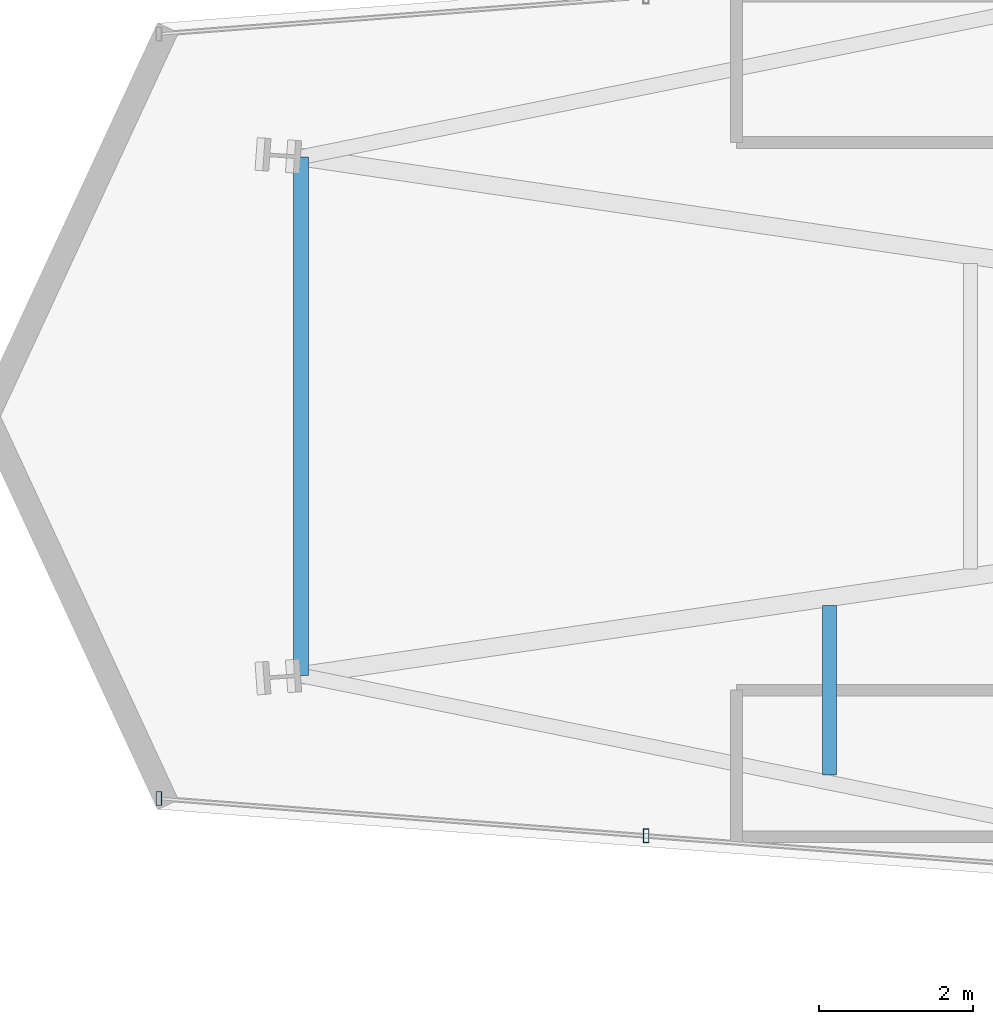
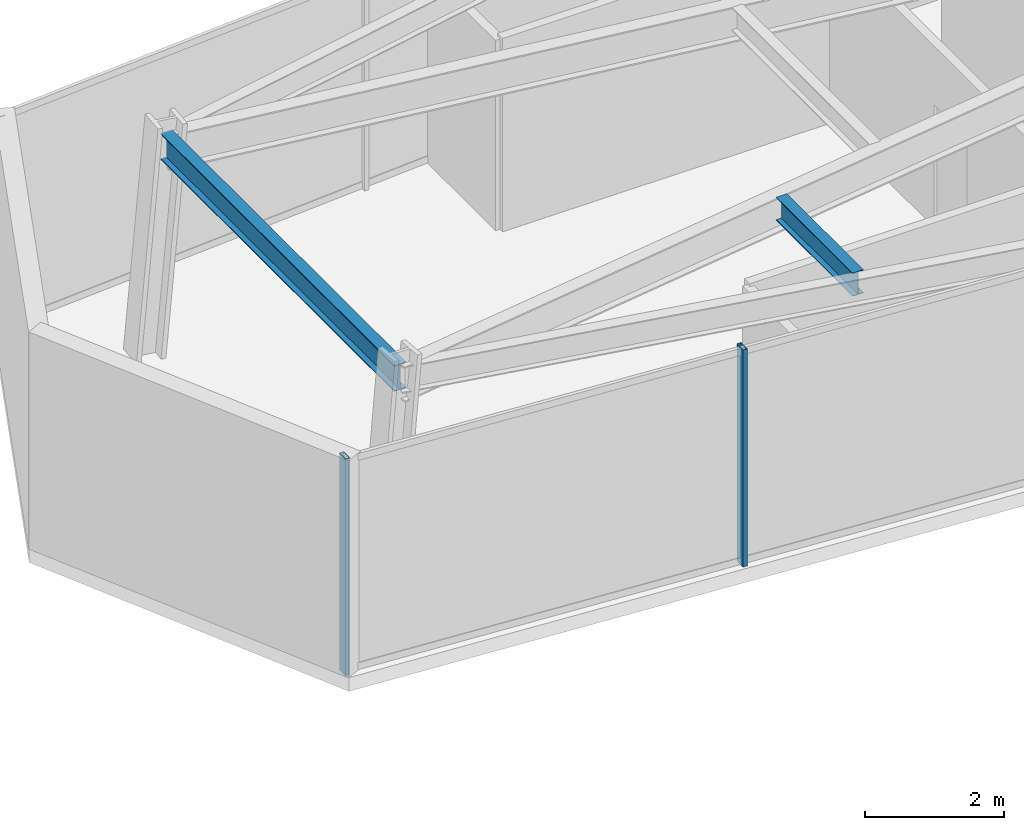
# One storey, part 6 of 28: 2 beams, 2 members, 1 element without a shape of its own.
"""IFC4 building model written with IfcOpenShell, lengths in metres."""

from ifc_helpers import new_model, si_unit, direction, frame, origin, origin_2d, place, context, subcontext, project, spatial, hollow_rectangle, i_section, extrude, material, layer, layer_set, material_profile, profile_set, type_object, element, aggregate, save


model = new_model("IFC4")

# Units and contexts
model_context = context("Model", 3, precision=1e-05, world=origin(), true_north=direction((0.0, 1.0)))
body_context = subcontext(model_context, "Body", "Model", "MODEL_VIEW")
ifc_project = project(units=[si_unit("LENGTHUNIT", "METRE"), si_unit("AREAUNIT", "SQUARE_METRE"), si_unit("VOLUMEUNIT", "CUBIC_METRE"), si_unit("PLANEANGLEUNIT", "RADIAN"), si_unit("MASSUNIT", "GRAM", prefix="KILO")], contexts=[model_context])

# Site, building, storey
site_placement = place(None, origin())
site = spatial("IfcSite", under=ifc_project, at=site_placement, CompositionType="ELEMENT")
building_placement = place(site_placement, origin())
building = spatial("IfcBuilding", under=site, at=building_placement, Name="Veymaron Broadcast Tower", CompositionType="ELEMENT")
storey_placement = place(building_placement, frame((0.0, 0.0, 45.89990234375)))
storey = spatial("IfcBuildingStorey", under=building, at=storey_placement, Name="L09", CompositionType="ELEMENT", Elevation=45.89990234375)

# Beams
ifc_material_1 = material(Name="Structural steel ASTM A992 Gr 50", Category="steel")
ifc_material_profile_1 = material_profile(ifc_material_1, i_section(OverallWidth=0.177978515625, OverallDepth=0.406982421875, WebThickness=0.0078125, FlangeThickness=0.0126953125, at=origin_2d()), Name="W410X60")
ifc_profile_set_1 = profile_set([ifc_material_profile_1], Name="Structural steel ASTM A992 Gr 50")
beam_type_1 = type_object("IfcBeamType", Name="BM-JS1", PredefinedType="JOIST", material=ifc_profile_set_1)
beam_1_placement = place(storey_placement, frame((15.206298828125, 19.347900390625, 3.606689453125), z_axis=(0.0, 1.0, 0.0), x_axis=(-1.0, 0.0, 0.0)))
element("IfcBeam", 1, at=beam_1_placement, inside=storey, type_object=beam_type_1, Name="L09 Arm-A secondary joist 1S", PredefinedType="JOIST", context=body_context, shape_type="SweptSolid", body=[
    extrude(i_section(OverallWidth=0.177978515625, OverallDepth=0.406982421875, WebThickness=0.0078125, FlangeThickness=0.0126953125, at=origin_2d()), origin(), (0.0, 0.0, 1.0), 2.2001953125),
])
ifc_material_profile_2 = material_profile(ifc_material_1, i_section(OverallWidth=0.19091796875, OverallDepth=0.4599609375, WebThickness=0.010009765625, FlangeThickness=0.01611328125, at=origin_2d()), Name="W460X82")
ifc_profile_set_2 = profile_set([ifc_material_profile_2], Name="Structural steel ASTM A992 Gr 50")
beam_type_2 = type_object("IfcBeamType", Name="BM-SP1", PredefinedType="SPANDREL", material=ifc_profile_set_2)
beam_2_placement = place(storey_placement, frame((8.35205078125, 20.639892578125, 3.580078125), z_axis=(0.0, 1.0, 0.0), x_axis=(-1.0, 0.0, 0.0)))
element("IfcBeam", 2, at=beam_2_placement, inside=storey, type_object=beam_type_2, Name="L09 primary structural floor girder", PredefinedType="SPANDREL", context=body_context, shape_type="SweptSolid", body=[
    extrude(i_section(OverallWidth=0.19091796875, OverallDepth=0.4599609375, WebThickness=0.010009765625, FlangeThickness=0.01611328125, at=origin_2d()), origin(), (0.0, 0.0, 1.0), 6.72021484375),
])

# Curtain wall, members
ifc_material_2 = material(Name="Anodised aluminium AA 6063-T6 and laminated low-E dark glass", Category="aluminium")
ifc_layer = layer(ifc_material_2, 0.179931640625)
ifc_layer_set = layer_set([ifc_layer], Name="Anodised aluminium AA 6063-T6 and laminated low-E dark glass")
curtain_wall_type = type_object("IfcCurtainWallType", Name="CW-SYS-02", PredefinedType="NOTDEFINED", material=ifc_layer_set)
curtain_wall_placement = place(storey_placement, origin())
curtain_wall = element("IfcCurtainWall", 3, at=curtain_wall_placement, inside=storey, type_object=curtain_wall_type, Name="L09 dark-glass curtain wall CW-L09-E14-1", PredefinedType="NOTDEFINED")
ifc_material_3 = material(Name="Anodised aluminium AA 6063-T6", Category="aluminium")
ifc_material_profile_3 = material_profile(ifc_material_3, hollow_rectangle(XDim=0.074951171875, YDim=0.179931640625, WallThickness=0.0048828125, at=origin_2d()), Name="AL180X75X5")
ifc_profile_set_3 = profile_set([ifc_material_profile_3], Name="Anodised aluminium AA 6063-T6")
member_type = type_object("IfcMemberType", Name="CW-MUL-02", PredefinedType="MULLION", material=ifc_profile_set_3)
member_1_placement = place(storey_placement, frame((6.5107421875, 19.04345703125, 0.0), z_axis=(0.0, 0.0, 1.0), x_axis=(1.0, 0.0, 0.0)))
member_1 = element("IfcMember", 4, at=member_1_placement, type_object=member_type, Name="CW-L09-E14-1 mullion 0", PredefinedType="MULLION", context=body_context, shape_type="SweptSolid", body=[
    extrude(hollow_rectangle(XDim=0.074951171875, YDim=0.179931640625, WallThickness=0.0048828125, at=origin_2d()), origin(), (0.0, 0.0, 1.0), 3.81005859375),
])
member_2_placement = place(storey_placement, frame((12.82666015625, 18.558349609375, 0.0), z_axis=(0.0, 0.0, 1.0), x_axis=(1.0, 0.0, 0.0)))
member_2 = element("IfcMember", 5, at=member_2_placement, type_object=member_type, Name="CW-L09-E14-1 mullion 1", PredefinedType="MULLION", context=body_context, shape_type="SweptSolid", body=[
    extrude(hollow_rectangle(XDim=0.074951171875, YDim=0.179931640625, WallThickness=0.0048828125, at=origin_2d()), origin(), (0.0, 0.0, 1.0), 3.81005859375),
])
aggregate(curtain_wall, [member_1, member_2])

save(model, "model.ifc")
